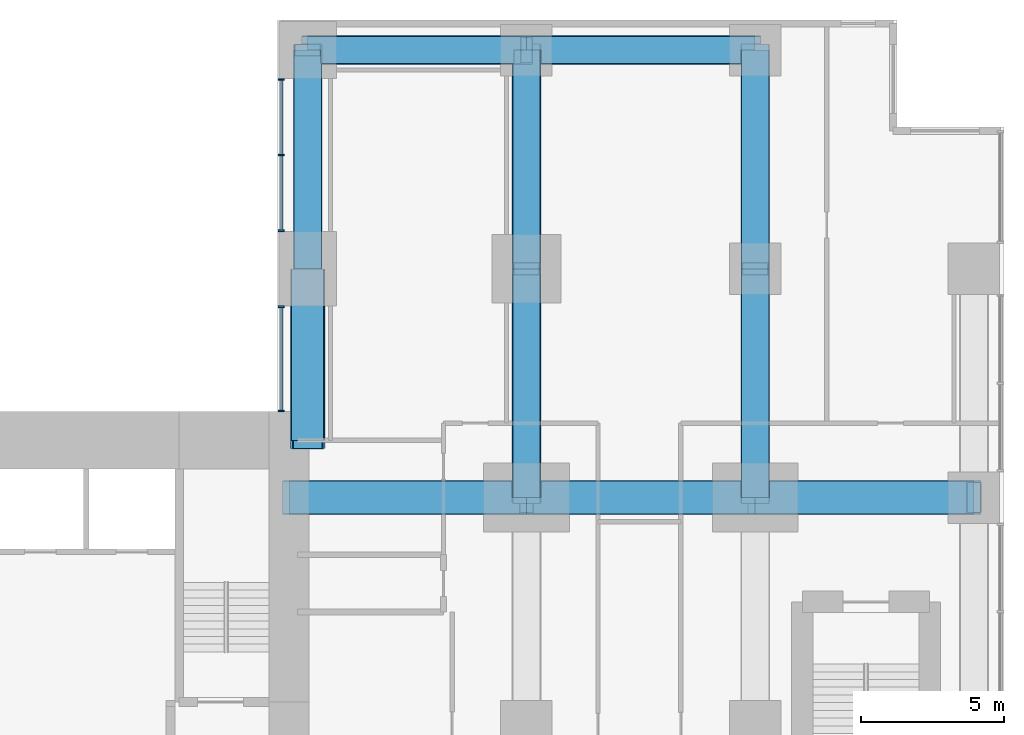
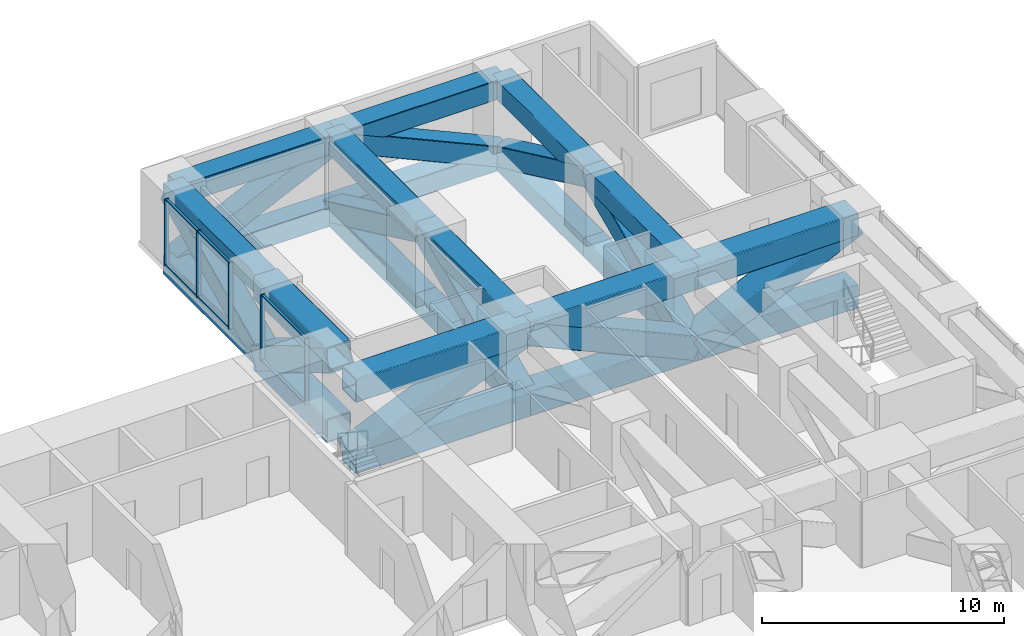
# One storey, part 6 of 14: 44 members, 2 elements without a shape of their own.
"""IFC4 building model written with IfcOpenShell, lengths in metres."""

import ifcopenshell
import ifcopenshell.guid

model = None  # the IFC model being written
_history = None  # IfcOwnerHistory: only IFC2X3 demands one
_inside = {}  # id of a spatial element -> (the spatial element, [elements in it])
_under = {}  # id of a project, library or spatial element -> (it, [spatial elements below it])
_declared = {}  # id of a project -> (the project, [libraries it declares])
_typed = {}  # id of a type object -> (the type object, [elements of that type])
_made_of = {}  # id of a material, layer set ... -> (it, [elements and type objects made of it])


def new_model(schema):
    """Start an empty IFC model of exactly this schema.

    Asked for "IFC4X3", IfcOpenShell would pick the latest addendum, in which some entities
    have other attributes; the version numbers below select the first issue.
    IFC2X3 requires an IfcOwnerHistory on every rooted entity: one is made here for all.
    """
    global model, _history
    if schema == "IFC4X3":
        model = ifcopenshell.file(schema_version=(4, 3, 0, 0))
    else:
        model = ifcopenshell.file(schema=schema)
    _inside.clear()
    _under.clear()
    _declared.clear()
    _typed.clear()
    _made_of.clear()
    _history = None
    if model.schema == "IFC2X3":
        org = make("IfcOrganization", Name="unknown")
        user = make(
            "IfcPersonAndOrganization",
            ThePerson=make("IfcPerson", FamilyName="unknown"),
            TheOrganization=org,
        )
        app = make(
            "IfcApplication",
            ApplicationDeveloper=org,
            Version="unknown",
            ApplicationFullName="unknown",
            ApplicationIdentifier="unknown",
        )
        _history = make(
            "IfcOwnerHistory",
            OwningUser=user,
            OwningApplication=app,
            ChangeAction="ADDED",
            CreationDate=0,
        )
    return model


def make(cls, **values):
    """One entity of the class cls with the attributes given. An attribute that is None is left unset."""
    return model.create_entity(
        cls, **{name: value for name, value in values.items() if value is not None}
    )


def rooted(cls, **values):
    """An entity with a GlobalId (a new one), such as an element, a storey or a relation."""
    return make(cls, GlobalId=ifcopenshell.guid.new(), OwnerHistory=_history, **values)


def si_unit(unit_type, name, prefix=None):
    """IfcSIUnit, for example si_unit("LENGTHUNIT", "METRE", prefix="MILLI")."""
    return make("IfcSIUnit", UnitType=unit_type, Prefix=prefix, Name=name)


def assignment(units):
    """IfcUnitAssignment: the units of a project."""
    return None if units is None else make("IfcUnitAssignment", Units=units)


def point(xyz):
    """IfcCartesianPoint."""
    return None if xyz is None else make("IfcCartesianPoint", Coordinates=xyz)


def direction(xyz):
    """IfcDirection."""
    return None if xyz is None else make("IfcDirection", DirectionRatios=xyz)


def frame(location, z_axis=None, x_axis=None):
    """IfcAxis2Placement3D, a coordinate frame: its origin and axes. An axis left out is left unset."""
    return make(
        "IfcAxis2Placement3D",
        Location=point(location),
        Axis=direction(z_axis),
        RefDirection=direction(x_axis),
    )


def frame_2d(location, x_axis=None):
    """IfcAxis2Placement2D, a coordinate frame in the plane: its origin and x axis."""
    return make(
        "IfcAxis2Placement2D", Location=point(location), RefDirection=direction(x_axis)
    )


def origin():
    """The frame at (0, 0, 0) with its axes left unset."""
    return frame((0.0, 0.0, 0.0))


def origin_2d():
    """The frame at (0, 0) in the plane with its x axis left unset."""
    return frame_2d((0.0, 0.0))


def place(relative_to, where):
    """IfcLocalPlacement: puts the frame where relative to a parent placement (None: the world)."""
    return make(
        "IfcLocalPlacement", PlacementRelTo=relative_to, RelativePlacement=where
    )


def context(
    kind, dimensions, precision=None, world=None, true_north=None, identifier=None
):
    """IfcGeometricRepresentationContext, for example the 3D "Model" context."""
    return make(
        "IfcGeometricRepresentationContext",
        ContextIdentifier=identifier,
        ContextType=kind,
        CoordinateSpaceDimension=dimensions,
        Precision=precision,
        WorldCoordinateSystem=world,
        TrueNorth=true_north,
    )


def subcontext(parent, identifier, kind, view, scale=None):
    """IfcGeometricRepresentationSubContext, for example "Body" below "Model"."""
    return make(
        "IfcGeometricRepresentationSubContext",
        ContextIdentifier=identifier,
        ContextType=kind,
        ParentContext=parent,
        TargetScale=scale,
        TargetView=view,
    )


def project(units=None, contexts=None):
    """IfcProject with its units and contexts."""
    return rooted(
        "IfcProject",
        Name="project",
        RepresentationContexts=contexts,
        UnitsInContext=assignment(units),
    )


def spatial(cls, under=None, at=None, **own):
    """A site, building, storey or space (cls), placed at a placement, below another one or the project."""
    s = rooted(cls, ObjectPlacement=at, **own)
    if under is not None:
        _under.setdefault(under.id(), (under, []))[1].append(s)
    return s


def profile(cls, at=None, kind="AREA", **sizes):
    """A parametric profile (cls). Its sizes go by their IFC names, for example OverallWidth=200.0."""
    return make(cls, ProfileType=kind, Position=at, **sizes)


def rectangle(**sizes):
    """IfcRectangleProfileDef."""
    return profile("IfcRectangleProfileDef", **sizes)


def hollow_rectangle(**sizes):
    """IfcRectangleHollowProfileDef."""
    return profile("IfcRectangleHollowProfileDef", **sizes)


def extrude(swept, where, along, depth):
    """IfcExtrudedAreaSolid: the profile swept, set in the frame where, extruded along a direction by depth."""
    return make(
        "IfcExtrudedAreaSolid",
        SweptArea=swept,
        Position=where,
        ExtrudedDirection=direction(along),
        Depth=depth,
    )


def shape(context_of_items, identifier, shape_type, items):
    """IfcShapeRepresentation: the items that make up one representation, for example the "Body"."""
    return make(
        "IfcShapeRepresentation",
        ContextOfItems=context_of_items,
        RepresentationIdentifier=identifier,
        RepresentationType=shape_type,
        Items=items,
    )


def material(Name=None, Category=None):
    """IfcMaterial."""
    return make("IfcMaterial", Name=Name, Category=Category)


def layer(
    of_material, thickness, ventilated=None, Name=None, Category=None, Priority=None
):
    """IfcMaterialLayer: one layer of a wall or slab, of a material (None: an air gap)."""
    return make(
        "IfcMaterialLayer",
        Material=of_material,
        LayerThickness=thickness,
        IsVentilated=ventilated,
        Name=Name,
        Category=Category,
        Priority=Priority,
    )


def layer_set(layers, Name=None):
    """IfcMaterialLayerSet."""
    return make("IfcMaterialLayerSet", MaterialLayers=layers, LayerSetName=Name)


def material_profile(
    of_material, cross_section, Name=None, Category=None, Priority=None
):
    """IfcMaterialProfile: a cross section and its material."""
    return make(
        "IfcMaterialProfile",
        Name=Name,
        Material=of_material,
        Profile=cross_section,
        Priority=Priority,
        Category=Category,
    )


def profile_set(profiles, Name=None, composite=None):
    """IfcMaterialProfileSet."""
    return make(
        "IfcMaterialProfileSet",
        Name=Name,
        MaterialProfiles=profiles,
        CompositeProfile=composite,
    )


def made_of(thing, what):
    """Note that an element or type object is made of a material, layer set ...; save() writes the relation."""
    if what is not None:
        _made_of.setdefault(what.id(), (what, []))[1].append(thing)
    return thing


def type_object(cls, material=None, **own):
    """A type object (cls), such as IfcWallType, which elements share."""
    return made_of(rooted(cls, **own), material)


def element(
    cls,
    number,
    at=None,
    inside=None,
    cuts=None,
    type_object=None,
    material=None,
    context=None,
    identifier="Body",
    shape_type=None,
    held_by="IfcProductDefinitionShape",
    body=None,
    shapes=None,
    **own,
):
    """One element of the class cls, such as IfcWall. Its Tag is "e" and its number.

    at: its placement. inside: the storey or other place that contains it. cuts: it is an
    opening in that element (IfcRelVoidsElement). A single representation is given by context,
    identifier, shape_type and body (its items); several are given by shapes. held_by: the class
    of the entity that holds the representations. save() writes the other relations.
    """
    e = rooted(cls, Tag="e%d" % number, ObjectPlacement=at, **own)
    if body is not None:
        shapes = [shape(context, identifier, shape_type, body)]
    if shapes is not None:
        e.Representation = make(held_by, Representations=shapes)
    if inside is not None:
        _inside.setdefault(inside.id(), (inside, []))[1].append(e)
    if cuts is not None:
        rooted(
            "IfcRelVoidsElement", RelatingBuildingElement=cuts, RelatedOpeningElement=e
        )
    if type_object is not None:
        _typed.setdefault(type_object.id(), (type_object, []))[1].append(e)
    return made_of(e, material)


def aggregate(whole, parts):
    """IfcRelAggregates: a whole, such as a stair, and the parts it consists of."""
    return rooted("IfcRelAggregates", RelatingObject=whole, RelatedObjects=parts)


def save(model, path):
    """Write the relations noted so far, then the file.

    IfcRelAggregates (storeys below a building ...), IfcRelContainedInSpatialStructure (elements
    in a storey), IfcRelDefinesByType, IfcRelAssociatesMaterial and IfcRelDeclares: one each for
    every whole, place, type object, material and project.
    """
    for whole, parts in _under.values():
        aggregate(whole, parts)
    for where, things in _inside.values():
        rooted(
            "IfcRelContainedInSpatialStructure",
            RelatedElements=things,
            RelatingStructure=where,
        )
    for kind, things in _typed.values():
        rooted("IfcRelDefinesByType", RelatedObjects=things, RelatingType=kind)
    for what, things in _made_of.values():
        rooted("IfcRelAssociatesMaterial", RelatedObjects=things, RelatingMaterial=what)
    for by, libraries in _declared.values():
        rooted("IfcRelDeclares", RelatingContext=by, RelatedDefinitions=libraries)
    model.write(path)


model = new_model("IFC4")

# Units and contexts
model_context = context("Model", 3, precision=1e-05, world=origin(), true_north=direction((0.0, 1.0)))
body_context = subcontext(model_context, "Body", "Model", "MODEL_VIEW")
ifc_project = project(units=[si_unit("LENGTHUNIT", "METRE"), si_unit("AREAUNIT", "SQUARE_METRE"), si_unit("VOLUMEUNIT", "CUBIC_METRE"), si_unit("PLANEANGLEUNIT", "RADIAN"), si_unit("MASSUNIT", "GRAM", prefix="KILO")], contexts=[model_context])

# Site, building, storey
site_placement = place(None, origin())
site = spatial("IfcSite", under=ifc_project, at=site_placement, CompositionType="ELEMENT")
building_placement = place(site_placement, origin())
building = spatial("IfcBuilding", under=site, at=building_placement, Name="Cleftline Residences", CompositionType="ELEMENT")
storey_placement = place(building_placement, frame((0.0, 0.0, 200.199951171875)))
storey = spatial("IfcBuildingStorey", under=building, at=storey_placement, Name="L52", CompositionType="ELEMENT", Elevation=200.199951171875)

# Members
ifc_material_1 = material(Name="Steel S355", Category="steel")
ifc_material_profile_1 = material_profile(ifc_material_1, hollow_rectangle(XDim=1.0, YDim=1.0, WallThickness=0.0400390625, InnerFilletRadius=0.0400390625, OuterFilletRadius=0.06005859375, at=origin_2d()))
ifc_profile_set_1 = profile_set([ifc_material_profile_1], Name="Steel S355")
member_type_1 = type_object("IfcMemberType", Name="BRACE BOX 1000X1000X40", PredefinedType="BRACE", material=ifc_profile_set_1)
member_1_placement = place(storey_placement, frame((42.35009765625, 40.0, -0.75), z_axis=(0.0, 0.904812157874, 0.425810942746), x_axis=(0.0, -0.425810942746, 0.904812157874)))
element("IfcMember", 1, at=member_1_placement, inside=storey, type_object=member_type_1, Name="Belt truss diagonal", PredefinedType="BRACE", context=body_context, shape_type="SweptSolid", body=[
    extrude(hollow_rectangle(XDim=1.0, YDim=1.0, WallThickness=0.0400390625, InnerFilletRadius=0.0400390625, OuterFilletRadius=0.06005859375, at=origin_2d()), origin(), (0.0, 0.0, 1.0), 8.45458984375),
])
member_2_placement = place(storey_placement, frame((50.0, 32.0, -0.75), z_axis=(0.0, 0.91191733938, 0.410373934525), x_axis=(0.0, -0.410373934525, 0.91191733938)))
element("IfcMember", 2, at=member_2_placement, inside=storey, type_object=member_type_1, Name="Belt truss diagonal", PredefinedType="BRACE", context=body_context, shape_type="SweptSolid", body=[
    extrude(hollow_rectangle(XDim=1.0, YDim=1.0, WallThickness=0.0400390625, InnerFilletRadius=0.0400390625, OuterFilletRadius=0.06005859375, at=origin_2d()), origin(), (0.0, 0.0, 1.0), 8.772705078125),
])
member_3_placement = place(storey_placement, frame((50.0, 40.0, 2.85009765625), z_axis=(0.0, 0.904812157874, -0.425810942746), x_axis=(0.0, 0.425810942746, 0.904812157874)))
element("IfcMember", 3, at=member_3_placement, inside=storey, type_object=member_type_1, Name="Belt truss diagonal", PredefinedType="BRACE", context=body_context, shape_type="SweptSolid", body=[
    extrude(hollow_rectangle(XDim=1.0, YDim=1.0, WallThickness=0.0400390625, InnerFilletRadius=0.0400390625, OuterFilletRadius=0.06005859375, at=origin_2d()), origin(), (0.0, 0.0, 1.0), 8.45458984375),
])
member_4_placement = place(storey_placement, frame((58.0, 32.0, -0.75), z_axis=(0.0, 0.91191733938, 0.410373934525), x_axis=(0.0, -0.410373934525, 0.91191733938)))
element("IfcMember", 4, at=member_4_placement, inside=storey, type_object=member_type_1, Name="Belt truss diagonal", PredefinedType="BRACE", context=body_context, shape_type="SweptSolid", body=[
    extrude(hollow_rectangle(XDim=1.0, YDim=1.0, WallThickness=0.0400390625, InnerFilletRadius=0.0400390625, OuterFilletRadius=0.06005859375, at=origin_2d()), origin(), (0.0, 0.0, 1.0), 8.772705078125),
])
for number, where, z_axis, x_axis, name in (
    (5, (58.0, 40.0, 2.85009765625), (0.0, 0.904812157874, -0.425810942746), (0.0, 0.425810942746, 0.904812157874), "Belt truss diagonal"),
    (6, (42.35009765625, 47.64990234375, -0.75), (0.904812157874, 0.0, 0.425810942746), (-0.425810942746, 0.0, 0.904812157874), "Belt truss diagonal"),
):
    element("IfcMember", number, at=place(storey_placement, frame(where, z_axis=z_axis, x_axis=x_axis)), inside=storey, type_object=member_type_1, Name=name, PredefinedType="BRACE", context=body_context, shape_type="SweptSolid", body=[
        extrude(hollow_rectangle(XDim=1.0, YDim=1.0, WallThickness=0.0400390625, InnerFilletRadius=0.0400390625, OuterFilletRadius=0.06005859375, at=origin_2d()), origin(), (0.0, 0.0, 1.0), 8.45458984375),
    ])
member_5_placement = place(storey_placement, frame((50.0, 47.64990234375, 2.85009765625), z_axis=(0.91191733938, 0.0, -0.410373934525), x_axis=(0.410373934525, 0.0, 0.91191733938)))
element("IfcMember", 7, at=member_5_placement, inside=storey, type_object=member_type_1, Name="Belt truss diagonal", PredefinedType="BRACE", context=body_context, shape_type="SweptSolid", body=[
    extrude(hollow_rectangle(XDim=1.0, YDim=1.0, WallThickness=0.0400390625, InnerFilletRadius=0.0400390625, OuterFilletRadius=0.06005859375, at=origin_2d()), origin(), (0.0, 0.0, 1.0), 8.772705078125),
])
ifc_material_2 = material(Name="Steel S355", Category="steel")
ifc_material_profile_2 = material_profile(ifc_material_2, hollow_rectangle(XDim=1.199951171875, YDim=1.199951171875, WallThickness=0.06005859375, InnerFilletRadius=0.06005859375, OuterFilletRadius=0.090087890625, at=origin_2d()))
ifc_profile_set_2 = profile_set([ifc_material_profile_2], Name="Steel S355")
member_type_2 = type_object("IfcMemberType", Name="BRACE BOX 1200X1200X60", PredefinedType="BRACE", material=ifc_profile_set_2)
member_6_placement = place(storey_placement, frame((41.699951171875, 32.0, -0.849853515625), z_axis=(0.917427920438, 0.0, 0.397902011556), x_axis=(-0.397902011556, 0.0, 0.917427920438)))
element("IfcMember", 8, at=member_6_placement, inside=storey, type_object=member_type_2, Name="Outrigger truss diagonal", PredefinedType="BRACE", context=body_context, shape_type="SweptSolid", body=[
    extrude(hollow_rectangle(XDim=1.199951171875, YDim=1.199951171875, WallThickness=0.06005859375, InnerFilletRadius=0.06005859375, OuterFilletRadius=0.090087890625, at=origin_2d()), origin(), (0.0, 0.0, 1.0), 9.047119140625),
])
member_7_placement = place(storey_placement, frame((50.0, 32.0, 2.75), z_axis=(0.911927753762, 0.0, -0.410350791297), x_axis=(0.410350791297, 0.0, 0.911927753762)))
element("IfcMember", 9, at=member_7_placement, inside=storey, type_object=member_type_2, Name="Outrigger truss diagonal", PredefinedType="BRACE", context=body_context, shape_type="SweptSolid", body=[
    extrude(hollow_rectangle(XDim=1.199951171875, YDim=1.199951171875, WallThickness=0.06005859375, InnerFilletRadius=0.06005859375, OuterFilletRadius=0.090087890625, at=origin_2d()), origin(), (0.0, 0.0, 1.0), 8.772705078125),
])
member_8_placement = place(storey_placement, frame((58.0, 32.0, -0.849853515625), z_axis=(0.904823283159, 0.0, 0.425787301659), x_axis=(-0.425787301659, 0.0, 0.904823283159)))
element("IfcMember", 10, at=member_8_placement, inside=storey, type_object=member_type_2, Name="Outrigger truss diagonal", PredefinedType="BRACE", context=body_context, shape_type="SweptSolid", body=[
    extrude(hollow_rectangle(XDim=1.199951171875, YDim=1.199951171875, WallThickness=0.06005859375, InnerFilletRadius=0.06005859375, OuterFilletRadius=0.090087890625, at=origin_2d()), origin(), (0.0, 0.0, 1.0), 8.45458984375),
])
member_9_placement = place(storey_placement, frame((42.35009765625, 40.0, -0.849853515625), z_axis=(0.0, -0.857502161653, 0.51448036188), x_axis=(0.0, 0.51448036188, 0.857502161653)))
element("IfcMember", 11, at=member_9_placement, inside=storey, type_object=member_type_2, Name="Outrigger truss diagonal", PredefinedType="BRACE", context=body_context, shape_type="SweptSolid", body=[
    extrude(hollow_rectangle(XDim=1.199951171875, YDim=1.199951171875, WallThickness=0.06005859375, InnerFilletRadius=0.06005859375, OuterFilletRadius=0.090087890625, at=origin_2d()), origin(), (0.0, 0.0, 1.0), 6.9970703125),
])
ifc_material_3 = material(Name="Steel S355", Category="steel")
ifc_material_profile_3 = material_profile(ifc_material_3, hollow_rectangle(XDim=1.0, YDim=1.0, WallThickness=0.0400390625, InnerFilletRadius=0.0400390625, OuterFilletRadius=0.06005859375, at=origin_2d()))
ifc_profile_set_3 = profile_set([ifc_material_profile_3], Name="Steel S355")
member_type_3 = type_object("IfcMemberType", Name="CHORD BOX 1000X1000X40", PredefinedType="CHORD", material=ifc_profile_set_3)
for number, where, z_axis, x_axis, name in (
    (12, (42.35009765625, 40.0, -0.75), (0.0, 1.0, 0.0), (-1.0, 0.0, 0.0), "Belt truss bottom chord"),
    (13, (42.35009765625, 40.0, 2.85009765625), (0.0, 1.0, 0.0), (-1.0, 0.0, 0.0), "Belt truss top chord"),
):
    element("IfcMember", number, at=place(storey_placement, frame(where, z_axis=z_axis, x_axis=x_axis)), inside=storey, type_object=member_type_3, Name=name, PredefinedType="CHORD", context=body_context, shape_type="SweptSolid", body=[
        extrude(hollow_rectangle(XDim=1.0, YDim=1.0, WallThickness=0.0400390625, InnerFilletRadius=0.0400390625, OuterFilletRadius=0.06005859375, at=origin_2d()), origin(), (0.0, 0.0, 1.0), 7.64990234375),
    ])
for number, where, z_axis, x_axis, name in (
    (14, (50.0, 32.0, -0.75), (0.0, 1.0, 0.0), (-1.0, 0.0, 0.0), "Belt truss bottom chord"),
    (15, (50.0, 32.0, 2.85009765625), (0.0, 1.0, 0.0), (-1.0, 0.0, 0.0), "Belt truss top chord"),
):
    element("IfcMember", number, at=place(storey_placement, frame(where, z_axis=z_axis, x_axis=x_axis)), inside=storey, type_object=member_type_3, Name=name, PredefinedType="CHORD", context=body_context, shape_type="SweptSolid", body=[
        extrude(hollow_rectangle(XDim=1.0, YDim=1.0, WallThickness=0.0400390625, InnerFilletRadius=0.0400390625, OuterFilletRadius=0.06005859375, at=origin_2d()), origin(), (0.0, 0.0, 1.0), 8.0),
    ])
for number, where, z_axis, x_axis, name in (
    (16, (50.0, 40.0, -0.75), (0.0, 1.0, 0.0), (-1.0, 0.0, 0.0), "Belt truss bottom chord"),
    (17, (50.0, 40.0, 2.85009765625), (0.0, 1.0, 0.0), (-1.0, 0.0, 0.0), "Belt truss top chord"),
):
    element("IfcMember", number, at=place(storey_placement, frame(where, z_axis=z_axis, x_axis=x_axis)), inside=storey, type_object=member_type_3, Name=name, PredefinedType="CHORD", context=body_context, shape_type="SweptSolid", body=[
        extrude(hollow_rectangle(XDim=1.0, YDim=1.0, WallThickness=0.0400390625, InnerFilletRadius=0.0400390625, OuterFilletRadius=0.06005859375, at=origin_2d()), origin(), (0.0, 0.0, 1.0), 7.64990234375),
    ])
for number, where, z_axis, x_axis, name in (
    (18, (58.0, 32.0, -0.75), (0.0, 1.0, 0.0), (-1.0, 0.0, 0.0), "Belt truss bottom chord"),
    (19, (58.0, 32.0, 2.85009765625), (0.0, 1.0, 0.0), (-1.0, 0.0, 0.0), "Belt truss top chord"),
):
    element("IfcMember", number, at=place(storey_placement, frame(where, z_axis=z_axis, x_axis=x_axis)), inside=storey, type_object=member_type_3, Name=name, PredefinedType="CHORD", context=body_context, shape_type="SweptSolid", body=[
        extrude(hollow_rectangle(XDim=1.0, YDim=1.0, WallThickness=0.0400390625, InnerFilletRadius=0.0400390625, OuterFilletRadius=0.06005859375, at=origin_2d()), origin(), (0.0, 0.0, 1.0), 8.0),
    ])
for number, where, z_axis, x_axis, name in (
    (20, (58.0, 40.0, -0.75), (0.0, 1.0, 0.0), (-1.0, 0.0, 0.0), "Belt truss bottom chord"),
    (21, (58.0, 40.0, 2.85009765625), (0.0, 1.0, 0.0), (-1.0, 0.0, 0.0), "Belt truss top chord"),
    (22, (42.35009765625, 47.64990234375, -0.75), (1.0, 0.0, 0.0), (0.0, 1.0, 0.0), "Belt truss bottom chord"),
    (23, (42.35009765625, 47.64990234375, 2.85009765625), (1.0, 0.0, 0.0), (0.0, 1.0, 0.0), "Belt truss top chord"),
):
    element("IfcMember", number, at=place(storey_placement, frame(where, z_axis=z_axis, x_axis=x_axis)), inside=storey, type_object=member_type_3, Name=name, PredefinedType="CHORD", context=body_context, shape_type="SweptSolid", body=[
        extrude(hollow_rectangle(XDim=1.0, YDim=1.0, WallThickness=0.0400390625, InnerFilletRadius=0.0400390625, OuterFilletRadius=0.06005859375, at=origin_2d()), origin(), (0.0, 0.0, 1.0), 7.64990234375),
    ])
for number, where, z_axis, x_axis, name in (
    (24, (50.0, 47.64990234375, -0.75), (1.0, 0.0, 0.0), (0.0, 1.0, 0.0), "Belt truss bottom chord"),
    (25, (50.0, 47.64990234375, 2.85009765625), (1.0, 0.0, 0.0), (0.0, 1.0, 0.0), "Belt truss top chord"),
):
    element("IfcMember", number, at=place(storey_placement, frame(where, z_axis=z_axis, x_axis=x_axis)), inside=storey, type_object=member_type_3, Name=name, PredefinedType="CHORD", context=body_context, shape_type="SweptSolid", body=[
        extrude(hollow_rectangle(XDim=1.0, YDim=1.0, WallThickness=0.0400390625, InnerFilletRadius=0.0400390625, OuterFilletRadius=0.06005859375, at=origin_2d()), origin(), (0.0, 0.0, 1.0), 8.0),
    ])
ifc_material_4 = material(Name="Steel S355", Category="steel")
ifc_material_profile_4 = material_profile(ifc_material_4, hollow_rectangle(XDim=1.199951171875, YDim=1.199951171875, WallThickness=0.06005859375, InnerFilletRadius=0.06005859375, OuterFilletRadius=0.090087890625, at=origin_2d()))
ifc_profile_set_4 = profile_set([ifc_material_profile_4], Name="Steel S355")
member_type_4 = type_object("IfcMemberType", Name="CHORD BOX 1200X1200X60", PredefinedType="CHORD", material=ifc_profile_set_4)
for number, where, z_axis, x_axis, name in (
    (26, (41.699951171875, 32.0, -0.849853515625), (1.0, 0.0, 0.0), (0.0, 1.0, 0.0), "Outrigger truss bottom chord"),
    (27, (41.699951171875, 32.0, 2.75), (1.0, 0.0, 0.0), (0.0, 1.0, 0.0), "Outrigger truss top chord"),
):
    element("IfcMember", number, at=place(storey_placement, frame(where, z_axis=z_axis, x_axis=x_axis)), inside=storey, type_object=member_type_4, Name=name, PredefinedType="CHORD", context=body_context, shape_type="SweptSolid", body=[
        extrude(hollow_rectangle(XDim=1.199951171875, YDim=1.199951171875, WallThickness=0.06005859375, InnerFilletRadius=0.06005859375, OuterFilletRadius=0.090087890625, at=origin_2d()), origin(), (0.0, 0.0, 1.0), 8.300048828125),
    ])
for number, where, z_axis, x_axis, name in (
    (28, (50.0, 32.0, -0.849853515625), (1.0, 0.0, 0.0), (0.0, 1.0, 0.0), "Outrigger truss bottom chord"),
    (29, (50.0, 32.0, 2.75), (1.0, 0.0, 0.0), (0.0, 1.0, 0.0), "Outrigger truss top chord"),
):
    element("IfcMember", number, at=place(storey_placement, frame(where, z_axis=z_axis, x_axis=x_axis)), inside=storey, type_object=member_type_4, Name=name, PredefinedType="CHORD", context=body_context, shape_type="SweptSolid", body=[
        extrude(hollow_rectangle(XDim=1.199951171875, YDim=1.199951171875, WallThickness=0.06005859375, InnerFilletRadius=0.06005859375, OuterFilletRadius=0.090087890625, at=origin_2d()), origin(), (0.0, 0.0, 1.0), 8.0),
    ])
for number, where, z_axis, x_axis, name in (
    (30, (58.0, 32.0, -0.849853515625), (1.0, 0.0, 0.0), (0.0, 1.0, 0.0), "Outrigger truss bottom chord"),
    (31, (58.0, 32.0, 2.75), (1.0, 0.0, 0.0), (0.0, 1.0, 0.0), "Outrigger truss top chord"),
):
    element("IfcMember", number, at=place(storey_placement, frame(where, z_axis=z_axis, x_axis=x_axis)), inside=storey, type_object=member_type_4, Name=name, PredefinedType="CHORD", context=body_context, shape_type="SweptSolid", body=[
        extrude(hollow_rectangle(XDim=1.199951171875, YDim=1.199951171875, WallThickness=0.06005859375, InnerFilletRadius=0.06005859375, OuterFilletRadius=0.090087890625, at=origin_2d()), origin(), (0.0, 0.0, 1.0), 7.64990234375),
    ])
for number, where, z_axis, x_axis, name in (
    (32, (42.35009765625, 40.0, -0.849853515625), (0.0, -1.0, 0.0), (1.0, 0.0, 0.0), "Outrigger truss bottom chord"),
    (33, (42.35009765625, 40.0, 2.75), (0.0, -1.0, 0.0), (1.0, 0.0, 0.0), "Outrigger truss top chord"),
):
    element("IfcMember", number, at=place(storey_placement, frame(where, z_axis=z_axis, x_axis=x_axis)), inside=storey, type_object=member_type_4, Name=name, PredefinedType="CHORD", context=body_context, shape_type="SweptSolid", body=[
        extrude(hollow_rectangle(XDim=1.199951171875, YDim=1.199951171875, WallThickness=0.06005859375, InnerFilletRadius=0.06005859375, OuterFilletRadius=0.090087890625, at=origin_2d()), origin(), (0.0, 0.0, 1.0), 6.0),
    ])

# Curtain wall, members
ifc_material_5 = material(Name="Aluminium framed curtain wall", Category="aluminium")
ifc_layer = layer(ifc_material_5, 0.199951171875)
ifc_layer_set = layer_set([ifc_layer], Name="CW1 CLEFT GLAZING")
curtain_wall_type = type_object("IfcCurtainWallType", Name="CW1 CLEFT GLAZING", PredefinedType="NOTDEFINED", material=ifc_layer_set)
curtain_wall_1_placement = place(storey_placement, origin())
curtain_wall_1 = element("IfcCurtainWall", 34, at=curtain_wall_1_placement, inside=storey, type_object=curtain_wall_type, Name="Curtain wall CW1", PredefinedType="NOTDEFINED")
ifc_material_6 = material(Name="Aluminium mullion", Category="aluminium")
ifc_material_profile_5 = material_profile(ifc_material_6, rectangle(XDim=0.199951171875, YDim=0.06005859375, at=origin_2d()))
ifc_profile_set_5 = profile_set([ifc_material_profile_5], Name="Aluminium mullion")
member_type_5 = type_object("IfcMemberType", Name="CW1 MULLION", PredefinedType="MULLION", material=ifc_profile_set_5)
member_10_placement = place(storey_placement, frame((41.425048828125, 46.6201171875, 0.0), z_axis=(0.0, 0.0, 1.0), x_axis=(1.0, 0.0, 0.0)))
member_10 = element("IfcMember", 35, at=member_10_placement, type_object=member_type_5, Name="CW1 mullion 1", PredefinedType="MULLION", context=body_context, shape_type="SweptSolid", body=[
    extrude(rectangle(XDim=0.199951171875, YDim=0.06005859375, at=origin_2d()), origin(), (0.0, 0.0, 1.0), 3.35009765625),
])
member_11_placement = place(storey_placement, frame((41.425048828125, 43.97509765625, 0.0), z_axis=(0.0, 0.0, 1.0), x_axis=(1.0, 0.0, 0.0)))
member_11 = element("IfcMember", 36, at=member_11_placement, type_object=member_type_5, Name="CW1 mullion 2", PredefinedType="MULLION", context=body_context, shape_type="SweptSolid", body=[
    extrude(rectangle(XDim=0.199951171875, YDim=0.06005859375, at=origin_2d()), origin(), (0.0, 0.0, 1.0), 3.35009765625),
])
member_12_placement = place(storey_placement, frame((41.425048828125, 41.330078125, 0.0), z_axis=(0.0, 0.0, 1.0), x_axis=(1.0, 0.0, 0.0)))
member_12 = element("IfcMember", 37, at=member_12_placement, type_object=member_type_5, Name="CW1 mullion 3", PredefinedType="MULLION", context=body_context, shape_type="SweptSolid", body=[
    extrude(rectangle(XDim=0.199951171875, YDim=0.06005859375, at=origin_2d()), origin(), (0.0, 0.0, 1.0), 3.35009765625),
])

curtain_wall_2_placement = place(storey_placement, origin())
curtain_wall_2 = element("IfcCurtainWall", 38, at=curtain_wall_2_placement, inside=storey, type_object=curtain_wall_type, Name="Curtain wall CW1", PredefinedType="NOTDEFINED")
member_13_placement = place(storey_placement, frame((41.425048828125, 38.669921875, 0.0), z_axis=(0.0, 0.0, 1.0), x_axis=(1.0, 0.0, 0.0)))
member_13 = element("IfcMember", 39, at=member_13_placement, type_object=member_type_5, Name="CW1 mullion 1", PredefinedType="MULLION", context=body_context, shape_type="SweptSolid", body=[
    extrude(rectangle(XDim=0.199951171875, YDim=0.06005859375, at=origin_2d()), origin(), (0.0, 0.0, 1.0), 3.35009765625),
])
member_14_placement = place(storey_placement, frame((41.425048828125, 35.030029296875, 0.0), z_axis=(0.0, 0.0, 1.0), x_axis=(1.0, 0.0, 0.0)))
member_14 = element("IfcMember", 40, at=member_14_placement, type_object=member_type_5, Name="CW1 mullion 2", PredefinedType="MULLION", context=body_context, shape_type="SweptSolid", body=[
    extrude(rectangle(XDim=0.199951171875, YDim=0.06005859375, at=origin_2d()), origin(), (0.0, 0.0, 1.0), 3.35009765625),
])

# Member
ifc_material_7 = material(Name="Aluminium transom", Category="aluminium")
ifc_material_profile_6 = material_profile(ifc_material_7, rectangle(XDim=0.1201171875, YDim=0.06005859375, at=origin_2d()))
ifc_profile_set_6 = profile_set([ifc_material_profile_6], Name="Aluminium transom")
member_type_6 = type_object("IfcMemberType", Name="CW1 TRANSOM", PredefinedType="USERDEFINED", material=ifc_profile_set_6)
member_15_placement = place(storey_placement, frame((41.425048828125, 46.590087890625, 0.030029296875), z_axis=(0.0, -1.0, 0.0), x_axis=(1.0, 0.0, 0.0)))
member_15 = element("IfcMember", 41, at=member_15_placement, type_object=member_type_6, Name="CW1 transom 1.1", ObjectType="TRANSOM", PredefinedType="USERDEFINED", context=body_context, shape_type="SweptSolid", body=[
    extrude(rectangle(XDim=0.1201171875, YDim=0.06005859375, at=origin_2d()), origin(), (0.0, 0.0, 1.0), 2.585205078125),
])

member_16_placement = place(storey_placement, frame((41.425048828125, 46.590087890625, 3.320068359375), z_axis=(0.0, -1.0, 0.0), x_axis=(1.0, 0.0, 0.0)))
member_16 = element("IfcMember", 42, at=member_16_placement, type_object=member_type_6, Name="CW1 transom 1.2", ObjectType="TRANSOM", PredefinedType="USERDEFINED", context=body_context, shape_type="SweptSolid", body=[
    extrude(rectangle(XDim=0.1201171875, YDim=0.06005859375, at=origin_2d()), origin(), (0.0, 0.0, 1.0), 2.585205078125),
])

member_17_placement = place(storey_placement, frame((41.425048828125, 43.945068359375, 0.030029296875), z_axis=(0.0, -1.0, 0.0), x_axis=(1.0, 0.0, 0.0)))
member_17 = element("IfcMember", 43, at=member_17_placement, type_object=member_type_6, Name="CW1 transom 2.1", ObjectType="TRANSOM", PredefinedType="USERDEFINED", context=body_context, shape_type="SweptSolid", body=[
    extrude(rectangle(XDim=0.1201171875, YDim=0.06005859375, at=origin_2d()), origin(), (0.0, 0.0, 1.0), 2.5849609375),
])

member_18_placement = place(storey_placement, frame((41.425048828125, 43.945068359375, 3.320068359375), z_axis=(0.0, -1.0, 0.0), x_axis=(1.0, 0.0, 0.0)))
member_18 = element("IfcMember", 44, at=member_18_placement, type_object=member_type_6, Name="CW1 transom 2.2", ObjectType="TRANSOM", PredefinedType="USERDEFINED", context=body_context, shape_type="SweptSolid", body=[
    extrude(rectangle(XDim=0.1201171875, YDim=0.06005859375, at=origin_2d()), origin(), (0.0, 0.0, 1.0), 2.5849609375),
])

aggregate(curtain_wall_1, [member_10, member_11, member_12, member_15, member_16, member_17, member_18])

member_19_placement = place(storey_placement, frame((41.425048828125, 38.639892578125, 0.030029296875), z_axis=(0.0, -1.0, 0.0), x_axis=(1.0, 0.0, 0.0)))
member_19 = element("IfcMember", 45, at=member_19_placement, type_object=member_type_6, Name="CW1 transom 1.1", ObjectType="TRANSOM", PredefinedType="USERDEFINED", context=body_context, shape_type="SweptSolid", body=[
    extrude(rectangle(XDim=0.1201171875, YDim=0.06005859375, at=origin_2d()), origin(), (0.0, 0.0, 1.0), 3.579833984375),
])

member_20_placement = place(storey_placement, frame((41.425048828125, 38.639892578125, 3.320068359375), z_axis=(0.0, -1.0, 0.0), x_axis=(1.0, 0.0, 0.0)))
member_20 = element("IfcMember", 46, at=member_20_placement, type_object=member_type_6, Name="CW1 transom 1.2", ObjectType="TRANSOM", PredefinedType="USERDEFINED", context=body_context, shape_type="SweptSolid", body=[
    extrude(rectangle(XDim=0.1201171875, YDim=0.06005859375, at=origin_2d()), origin(), (0.0, 0.0, 1.0), 3.579833984375),
])

aggregate(curtain_wall_2, [member_13, member_14, member_19, member_20])

save(model, "model.ifc")
